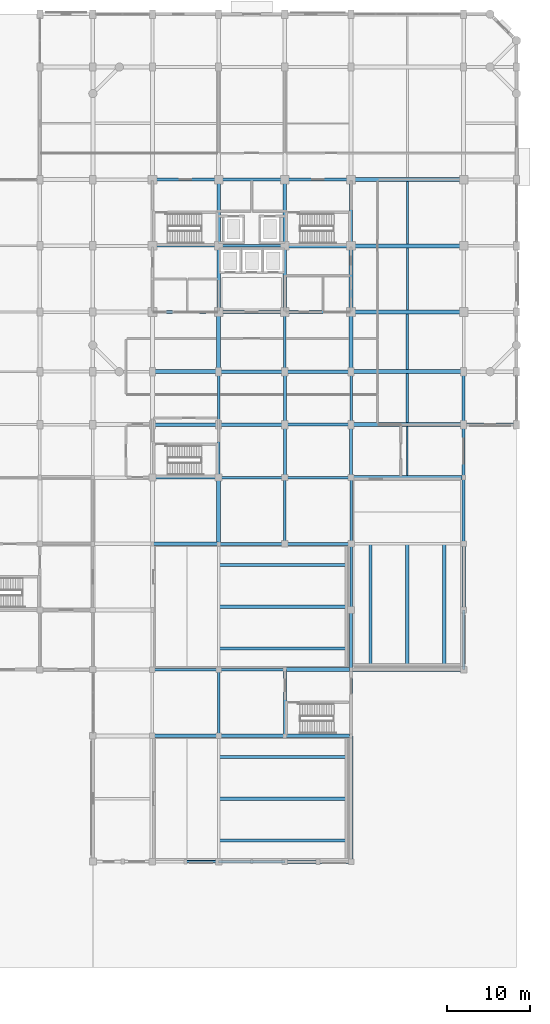
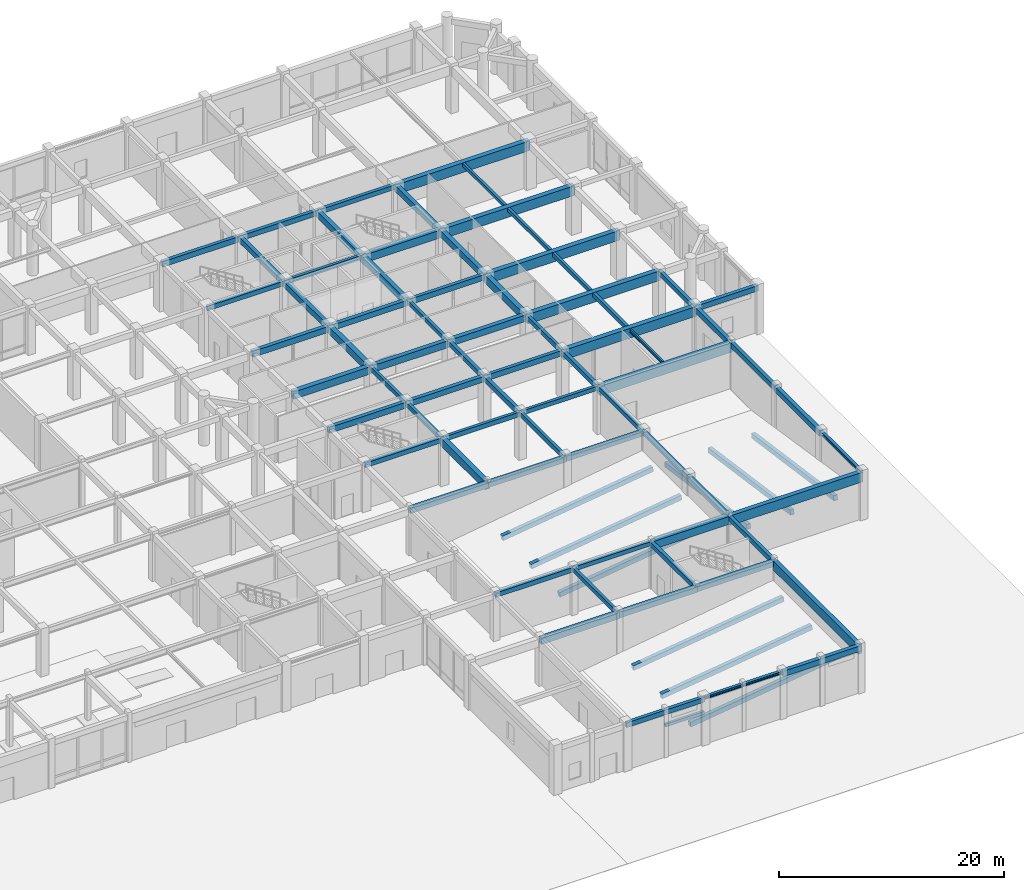
# One storey, part 16 of 40: 82 beams.
"""IFC4 building model written with IfcOpenShell, lengths in metres."""

from ifc_helpers import new_model, si_unit, direction, frame, origin, origin_2d, place, context, subcontext, project, spatial, rectangle, i_section, extrude, material, material_profile, profile_set, type_object, element, save


model = new_model("IFC4")

# Units and contexts
model_context = context("Model", 3, precision=1e-05, world=origin(), true_north=direction((0.0, 1.0)))
body_context = subcontext(model_context, "Body", "Model", "MODEL_VIEW")
ifc_project = project(units=[si_unit("LENGTHUNIT", "METRE"), si_unit("AREAUNIT", "SQUARE_METRE"), si_unit("VOLUMEUNIT", "CUBIC_METRE"), si_unit("PLANEANGLEUNIT", "RADIAN"), si_unit("MASSUNIT", "GRAM", prefix="KILO")], contexts=[model_context])

# Site, building, storey
site_placement = place(None, origin())
site = spatial("IfcSite", under=ifc_project, at=site_placement, CompositionType="ELEMENT")
building_placement = place(site_placement, origin())
building = spatial("IfcBuilding", under=site, at=building_placement, Name="Vellmiral Cinema and Media Centre", CompositionType="ELEMENT")
storey_placement = place(building_placement, origin())
storey = spatial("IfcBuildingStorey", under=building, at=storey_placement, Name="L00", CompositionType="ELEMENT", Elevation=0.0)

# Beams
ifc_material_1 = material(Name="Concrete C40/50", Category="concrete")
ifc_material_profile_1 = material_profile(ifc_material_1, rectangle(XDim=0.300048828125, YDim=0.449951171875, at=origin_2d()), Name="RC 300x450")
ifc_profile_set_1 = profile_set([ifc_material_profile_1], Name="Concrete C40/50")
beam_type_1 = type_object("IfcBeamType", Name="BM-RC-300x450", PredefinedType="BEAM", material=ifc_profile_set_1)
for number, where, z_axis, x_axis, name in (
    (1, (132.0, 36.0, 4.85009765625), (1.0, 0.0, 0.0), (0.0, 1.0, 0.0), "Grid Beam L00-X038"),
    (2, (140.0, 59.199951171875, 4.85009765625), (1.0, 0.0, 0.0), (0.0, 1.0, 0.0), "Grid Beam L00-X082"),
    (3, (132.0, 87.199951171875, 4.85009765625), (1.0, 0.0, 0.0), (0.0, 1.0, 0.0), "Grid Beam L00-X148"),
    (4, (132.0, 28.0, 4.85009765625), (0.0, 1.0, 0.0), (-1.0, 0.0, 0.0), "Grid Beam L00-Y324"),
):
    element("IfcBeam", number, at=place(storey_placement, frame(where, z_axis=z_axis, x_axis=x_axis)), inside=storey, type_object=beam_type_1, Name=name, PredefinedType="BEAM", context=body_context, shape_type="SweptSolid", body=[
        extrude(rectangle(XDim=0.300048828125, YDim=0.449951171875, at=origin_2d()), origin(), (0.0, 0.0, 1.0), 8.0),
    ])
beam_1_placement = place(storey_placement, frame((132.0, 65.60009765625, 4.85009765625), z_axis=(0.0, 1.0, 0.0), x_axis=(-1.0, 0.0, 0.0)))
element("IfcBeam", 5, at=beam_1_placement, inside=storey, type_object=beam_type_1, Name="Grid Beam L00-Y327", PredefinedType="BEAM", context=body_context, shape_type="SweptSolid", body=[
    extrude(rectangle(XDim=0.300048828125, YDim=0.449951171875, at=origin_2d()), origin(), (0.0, 0.0, 1.0), 6.39990234375),
])
beam_2_placement = place(storey_placement, frame((140.0, 72.0, 4.85009765625), z_axis=(0.0, 1.0, 0.0), x_axis=(-1.0, 0.0, 0.0)))
element("IfcBeam", 6, at=beam_2_placement, inside=storey, type_object=beam_type_1, Name="Grid Beam L00-Y337", PredefinedType="BEAM", context=body_context, shape_type="SweptSolid", body=[
    extrude(rectangle(XDim=0.300048828125, YDim=0.449951171875, at=origin_2d()), origin(), (0.0, 0.0, 1.0), 7.199951171875),
])
beam_3_placement = place(storey_placement, frame((148.0, 51.199951171875, 4.85009765625), z_axis=(0.0, 1.0, 0.0), x_axis=(-1.0, 0.0, 0.0)))
element("IfcBeam", 7, at=beam_3_placement, inside=storey, type_object=beam_type_1, Name="Grid Beam L00-Y346", PredefinedType="BEAM", context=body_context, shape_type="SweptSolid", body=[
    extrude(rectangle(XDim=0.300048828125, YDim=0.449951171875, at=origin_2d()), origin(), (0.0, 0.0, 1.0), 8.0),
])
ifc_material_2 = material(Name="Concrete C40/50", Category="concrete")
ifc_material_profile_2 = material_profile(ifc_material_2, rectangle(XDim=0.300048828125, YDim=0.5, at=origin_2d()), Name="RC 300x500")
ifc_profile_set_2 = profile_set([ifc_material_profile_2], Name="Concrete C40/50")
beam_type_2 = type_object("IfcBeamType", Name="BM-RC-300x500", PredefinedType="BEAM", material=ifc_profile_set_2)
for number, where, z_axis, x_axis, name in (
    (8, (124.0, 36.0, 4.824951171875), (1.0, 0.0, 0.0), (0.0, 1.0, 0.0), "Grid Beam L00-X037"),
    (9, (132.0, 59.199951171875, 4.824951171875), (1.0, 0.0, 0.0), (0.0, 1.0, 0.0), "Grid Beam L00-X081"),
    (10, (124.0, 87.199951171875, 4.824951171875), (1.0, 0.0, 0.0), (0.0, 1.0, 0.0), "Grid Beam L00-X147"),
):
    element("IfcBeam", number, at=place(storey_placement, frame(where, z_axis=z_axis, x_axis=x_axis)), inside=storey, type_object=beam_type_2, Name=name, PredefinedType="BEAM", context=body_context, shape_type="SweptSolid", body=[
        extrude(rectangle(XDim=0.300048828125, YDim=0.5, at=origin_2d()), origin(), (0.0, 0.0, 1.0), 8.0),
    ])
beam_4_placement = place(storey_placement, frame((132.0, 59.199951171875, 4.824951171875), z_axis=(0.0, 1.0, 0.0), x_axis=(-1.0, 0.0, 0.0)))
element("IfcBeam", 11, at=beam_4_placement, inside=storey, type_object=beam_type_2, Name="Grid Beam L00-Y326", PredefinedType="BEAM", context=body_context, shape_type="SweptSolid", body=[
    extrude(rectangle(XDim=0.300048828125, YDim=0.5, at=origin_2d()), origin(), (0.0, 0.0, 1.0), 6.400146484375),
])
for number, where, z_axis, x_axis, name in (
    (12, (140.0, 51.199951171875, 4.824951171875), (0.0, 1.0, 0.0), (-1.0, 0.0, 0.0), "Grid Beam L00-Y334"),
    (13, (148.0, 43.199951171875, 4.824951171875), (0.0, 1.0, 0.0), (-1.0, 0.0, 0.0), "Grid Beam L00-Y345"),
):
    element("IfcBeam", number, at=place(storey_placement, frame(where, z_axis=z_axis, x_axis=x_axis)), inside=storey, type_object=beam_type_2, Name=name, PredefinedType="BEAM", context=body_context, shape_type="SweptSolid", body=[
        extrude(rectangle(XDim=0.300048828125, YDim=0.5, at=origin_2d()), origin(), (0.0, 0.0, 1.0), 8.0),
    ])
beam_5_placement = place(storey_placement, frame((148.0, 65.60009765625, 4.824951171875), z_axis=(0.0, 1.0, 0.0), x_axis=(-1.0, 0.0, 0.0)))
element("IfcBeam", 14, at=beam_5_placement, inside=storey, type_object=beam_type_2, Name="Grid Beam L00-Y348", PredefinedType="BEAM", context=body_context, shape_type="SweptSolid", body=[
    extrude(rectangle(XDim=0.300048828125, YDim=0.5, at=origin_2d()), origin(), (0.0, 0.0, 1.0), 6.39990234375),
])
ifc_material_3 = material(Name="Concrete C40/50", Category="concrete")
ifc_material_profile_3 = material_profile(ifc_material_3, rectangle(XDim=0.35009765625, YDim=0.5, at=origin_2d()), Name="RC 350x500")
ifc_profile_set_3 = profile_set([ifc_material_profile_3], Name="Concrete C40/50")
beam_type_3 = type_object("IfcBeamType", Name="BM-RC-350x500", PredefinedType="BEAM", material=ifc_profile_set_3)
for number, where, z_axis, x_axis, name in (
    (15, (124.0, 59.199951171875, 4.824951171875), (1.0, 0.0, 0.0), (0.0, 1.0, 0.0), "Grid Beam L00-X080"),
    (16, (140.0, 95.199951171875, 4.824951171875), (1.0, 0.0, 0.0), (0.0, 1.0, 0.0), "Grid Beam L00-X168"),
    (17, (140.0, 28.0, 4.824951171875), (0.0, 1.0, 0.0), (-1.0, 0.0, 0.0), "Grid Beam L00-Y333"),
):
    element("IfcBeam", number, at=place(storey_placement, frame(where, z_axis=z_axis, x_axis=x_axis)), inside=storey, type_object=beam_type_3, Name=name, PredefinedType="BEAM", context=body_context, shape_type="SweptSolid", body=[
        extrude(rectangle(XDim=0.35009765625, YDim=0.5, at=origin_2d()), origin(), (0.0, 0.0, 1.0), 8.0),
    ])
beam_6_placement = place(storey_placement, frame((140.0, 65.60009765625, 4.824951171875), z_axis=(0.0, 1.0, 0.0), x_axis=(-1.0, 0.0, 0.0)))
element("IfcBeam", 18, at=beam_6_placement, inside=storey, type_object=beam_type_3, Name="Grid Beam L00-Y336", PredefinedType="BEAM", context=body_context, shape_type="SweptSolid", body=[
    extrude(rectangle(XDim=0.35009765625, YDim=0.5, at=origin_2d()), origin(), (0.0, 0.0, 1.0), 6.39990234375),
])
beam_7_placement = place(storey_placement, frame((148.0, 59.199951171875, 4.824951171875), z_axis=(0.0, 1.0, 0.0), x_axis=(-1.0, 0.0, 0.0)))
element("IfcBeam", 19, at=beam_7_placement, inside=storey, type_object=beam_type_3, Name="Grid Beam L00-Y347", PredefinedType="BEAM", context=body_context, shape_type="SweptSolid", body=[
    extrude(rectangle(XDim=0.35009765625, YDim=0.5, at=origin_2d()), origin(), (0.0, 0.0, 1.0), 6.400146484375),
])
beam_8_placement = place(storey_placement, frame((161.60009765625, 65.60009765625, 4.824951171875), z_axis=(0.0, 1.0, 0.0), x_axis=(-1.0, 0.0, 0.0)))
element("IfcBeam", 20, at=beam_8_placement, inside=storey, type_object=beam_type_3, Name="Grid Beam L00-Y358", PredefinedType="BEAM", context=body_context, shape_type="SweptSolid", body=[
    extrude(rectangle(XDim=0.35009765625, YDim=0.5, at=origin_2d()), origin(), (0.0, 0.0, 1.0), 6.39990234375),
])
ifc_material_4 = material(Name="Concrete C40/50", Category="concrete")
ifc_material_profile_4 = material_profile(ifc_material_4, rectangle(XDim=0.35009765625, YDim=0.550048828125, at=origin_2d()), Name="RC 350x550")
ifc_profile_set_4 = profile_set([ifc_material_profile_4], Name="Concrete C40/50")
beam_type_4 = type_object("IfcBeamType", Name="BM-RC-350x550", PredefinedType="BEAM", material=ifc_profile_set_4)
for number, where, z_axis, x_axis, name in (
    (21, (140.0, 51.199951171875, 4.800048828125), (1.0, 0.0, 0.0), (0.0, 1.0, 0.0), "Grid Beam L00-X068"),
    (22, (132.0, 95.199951171875, 4.800048828125), (1.0, 0.0, 0.0), (0.0, 1.0, 0.0), "Grid Beam L00-X167"),
):
    element("IfcBeam", number, at=place(storey_placement, frame(where, z_axis=z_axis, x_axis=x_axis)), inside=storey, type_object=beam_type_4, Name=name, PredefinedType="BEAM", context=body_context, shape_type="SweptSolid", body=[
        extrude(rectangle(XDim=0.35009765625, YDim=0.550048828125, at=origin_2d()), origin(), (0.0, 0.0, 1.0), 8.0),
    ])
beam_9_placement = place(storey_placement, frame((140.0, 59.199951171875, 4.800048828125), z_axis=(0.0, 1.0, 0.0), x_axis=(-1.0, 0.0, 0.0)))
element("IfcBeam", 23, at=beam_9_placement, inside=storey, type_object=beam_type_4, Name="Grid Beam L00-Y335", PredefinedType="BEAM", context=body_context, shape_type="SweptSolid", body=[
    extrude(rectangle(XDim=0.35009765625, YDim=0.550048828125, at=origin_2d()), origin(), (0.0, 0.0, 1.0), 6.400146484375),
])
ifc_material_5 = material(Name="Concrete C40/50", Category="concrete")
ifc_material_profile_5 = material_profile(ifc_material_5, rectangle(XDim=0.35009765625, YDim=0.60009765625, at=origin_2d()), Name="RC 350x600")
ifc_profile_set_5 = profile_set([ifc_material_profile_5], Name="Concrete C40/50")
beam_type_5 = type_object("IfcBeamType", Name="BM-RC-350x600", PredefinedType="BEAM", material=ifc_profile_set_5)
for number, where, z_axis, x_axis, name in (
    (24, (132.0, 51.199951171875, 4.77490234375), (1.0, 0.0, 0.0), (0.0, 1.0, 0.0), "Grid Beam L00-X067"),
    (25, (140.0, 65.60009765625, 4.77490234375), (1.0, 0.0, 0.0), (0.0, 1.0, 0.0), "Grid Beam L00-X100"),
    (26, (140.0, 79.199951171875, 4.77490234375), (1.0, 0.0, 0.0), (0.0, 1.0, 0.0), "Grid Beam L00-X133"),
    (27, (124.0, 95.199951171875, 4.77490234375), (1.0, 0.0, 0.0), (0.0, 1.0, 0.0), "Grid Beam L00-X166"),
):
    element("IfcBeam", number, at=place(storey_placement, frame(where, z_axis=z_axis, x_axis=x_axis)), inside=storey, type_object=beam_type_5, Name=name, PredefinedType="BEAM", context=body_context, shape_type="SweptSolid", body=[
        extrude(rectangle(XDim=0.35009765625, YDim=0.60009765625, at=origin_2d()), origin(), (0.0, 0.0, 1.0), 8.0),
    ])
beam_10_placement = place(storey_placement, frame((148.0, 36.0, 4.77490234375), z_axis=(0.0, 1.0, 0.0), x_axis=(-1.0, 0.0, 0.0)))
element("IfcBeam", 28, at=beam_10_placement, inside=storey, type_object=beam_type_5, Name="Grid Beam L00-Y344", PredefinedType="BEAM", context=body_context, shape_type="SweptSolid", body=[
    extrude(rectangle(XDim=0.35009765625, YDim=0.60009765625, at=origin_2d()), origin(), (0.0, 0.0, 1.0), 7.199951171875),
])
ifc_material_6 = material(Name="Concrete C40/50", Category="concrete")
ifc_material_profile_6 = material_profile(ifc_material_6, rectangle(XDim=0.39990234375, YDim=0.60009765625, at=origin_2d()), Name="RC 400x600")
ifc_profile_set_6 = profile_set([ifc_material_profile_6], Name="Concrete C40/50")
beam_type_6 = type_object("IfcBeamType", Name="BM-RC-400x600", PredefinedType="BEAM", material=ifc_profile_set_6)
for number, where, z_axis, x_axis, name in (
    (29, (140.0, 28.0, 4.77490234375), (1.0, 0.0, 0.0), (0.0, 1.0, 0.0), "Grid Beam L00-X022"),
    (30, (124.0, 51.199951171875, 4.77490234375), (1.0, 0.0, 0.0), (0.0, 1.0, 0.0), "Grid Beam L00-X066"),
    (31, (132.0, 65.60009765625, 4.77490234375), (1.0, 0.0, 0.0), (0.0, 1.0, 0.0), "Grid Beam L00-X099"),
    (32, (132.0, 79.199951171875, 4.77490234375), (1.0, 0.0, 0.0), (0.0, 1.0, 0.0), "Grid Beam L00-X132"),
    (33, (132.0, 87.199951171875, 4.77490234375), (0.0, 1.0, 0.0), (-1.0, 0.0, 0.0), "Grid Beam L00-Y330"),
):
    element("IfcBeam", number, at=place(storey_placement, frame(where, z_axis=z_axis, x_axis=x_axis)), inside=storey, type_object=beam_type_6, Name=name, PredefinedType="BEAM", context=body_context, shape_type="SweptSolid", body=[
        extrude(rectangle(XDim=0.39990234375, YDim=0.60009765625, at=origin_2d()), origin(), (0.0, 0.0, 1.0), 8.0),
    ])
ifc_material_7 = material(Name="Concrete C40/50", Category="concrete")
ifc_material_profile_7 = material_profile(ifc_material_7, rectangle(XDim=0.39990234375, YDim=0.64990234375, at=origin_2d()), Name="RC 400x650")
ifc_profile_set_7 = profile_set([ifc_material_profile_7], Name="Concrete C40/50")
beam_type_7 = type_object("IfcBeamType", Name="BM-RC-400x650", PredefinedType="BEAM", material=ifc_profile_set_7)
for number, where, z_axis, x_axis, name in (
    (34, (132.0, 28.0, 4.75), (1.0, 0.0, 0.0), (0.0, 1.0, 0.0), "Grid Beam L00-X021"),
    (35, (124.0, 65.60009765625, 4.75), (1.0, 0.0, 0.0), (0.0, 1.0, 0.0), "Grid Beam L00-X098"),
    (36, (124.0, 79.199951171875, 4.75), (1.0, 0.0, 0.0), (0.0, 1.0, 0.0), "Grid Beam L00-X131"),
    (37, (132.0, 79.199951171875, 4.75), (0.0, 1.0, 0.0), (-1.0, 0.0, 0.0), "Grid Beam L00-Y329"),
    (38, (148.0, 87.199951171875, 4.75), (0.0, 1.0, 0.0), (-1.0, 0.0, 0.0), "Grid Beam L00-Y351"),
):
    element("IfcBeam", number, at=place(storey_placement, frame(where, z_axis=z_axis, x_axis=x_axis)), inside=storey, type_object=beam_type_7, Name=name, PredefinedType="BEAM", context=body_context, shape_type="SweptSolid", body=[
        extrude(rectangle(XDim=0.39990234375, YDim=0.64990234375, at=origin_2d()), origin(), (0.0, 0.0, 1.0), 8.0),
    ])
ifc_material_8 = material(Name="Concrete C40/50", Category="concrete")
ifc_material_profile_8 = material_profile(ifc_material_8, rectangle(XDim=0.449951171875, YDim=0.699951171875, at=origin_2d()), Name="RC 450x700")
ifc_profile_set_8 = profile_set([ifc_material_profile_8], Name="Concrete C40/50")
beam_type_8 = type_object("IfcBeamType", Name="BM-RC-450x700", PredefinedType="BEAM", material=ifc_profile_set_8)
for number, where, z_axis, x_axis, name in (
    (39, (124.0, 28.0, 4.72509765625), (1.0, 0.0, 0.0), (0.0, 1.0, 0.0), "Grid Beam L00-X020"),
    (40, (140.0, 72.0, 4.72509765625), (1.0, 0.0, 0.0), (0.0, 1.0, 0.0), "Grid Beam L00-X119"),
    (41, (140.0, 87.199951171875, 4.72509765625), (0.0, 1.0, 0.0), (-1.0, 0.0, 0.0), "Grid Beam L00-Y339"),
    (42, (148.0, 79.199951171875, 4.72509765625), (0.0, 1.0, 0.0), (-1.0, 0.0, 0.0), "Grid Beam L00-Y350"),
):
    element("IfcBeam", number, at=place(storey_placement, frame(where, z_axis=z_axis, x_axis=x_axis)), inside=storey, type_object=beam_type_8, Name=name, PredefinedType="BEAM", context=body_context, shape_type="SweptSolid", body=[
        extrude(rectangle(XDim=0.449951171875, YDim=0.699951171875, at=origin_2d()), origin(), (0.0, 0.0, 1.0), 8.0),
    ])
ifc_material_9 = material(Name="Concrete C40/50", Category="concrete")
ifc_material_profile_9 = material_profile(ifc_material_9, rectangle(XDim=0.449951171875, YDim=0.75, at=origin_2d()), Name="RC 450x750")
ifc_profile_set_9 = profile_set([ifc_material_profile_9], Name="Concrete C40/50")
beam_type_9 = type_object("IfcBeamType", Name="BM-RC-450x750", PredefinedType="BEAM", material=ifc_profile_set_9)
for number, where, z_axis, x_axis, name in (
    (43, (132.0, 72.0, 4.699951171875), (1.0, 0.0, 0.0), (0.0, 1.0, 0.0), "Grid Beam L00-X118"),
    (44, (140.0, 79.199951171875, 4.699951171875), (0.0, 1.0, 0.0), (-1.0, 0.0, 0.0), "Grid Beam L00-Y338"),
):
    element("IfcBeam", number, at=place(storey_placement, frame(where, z_axis=z_axis, x_axis=x_axis)), inside=storey, type_object=beam_type_9, Name=name, PredefinedType="BEAM", context=body_context, shape_type="SweptSolid", body=[
        extrude(rectangle(XDim=0.449951171875, YDim=0.75, at=origin_2d()), origin(), (0.0, 0.0, 1.0), 8.0),
    ])
ifc_material_10 = material(Name="Concrete C40/50", Category="concrete")
ifc_material_profile_10 = material_profile(ifc_material_10, rectangle(XDim=0.5, YDim=0.800048828125, at=origin_2d()), Name="RC 500x800")
ifc_profile_set_10 = profile_set([ifc_material_profile_10], Name="Concrete C40/50")
beam_type_10 = type_object("IfcBeamType", Name="BM-RC-500x800", PredefinedType="BEAM", material=ifc_profile_set_10)
beam_11_placement = place(storey_placement, frame((124.0, 72.0, 4.675048828125), z_axis=(1.0, 0.0, 0.0), x_axis=(0.0, 1.0, 0.0)))
element("IfcBeam", 45, at=beam_11_placement, inside=storey, type_object=beam_type_10, Name="Grid Beam L00-X117", PredefinedType="BEAM", context=body_context, shape_type="SweptSolid", body=[
    extrude(rectangle(XDim=0.5, YDim=0.800048828125, at=origin_2d()), origin(), (0.0, 0.0, 1.0), 8.0),
])
beam_12_placement = place(storey_placement, frame((132.0, 72.0, 4.675048828125), z_axis=(0.0, 1.0, 0.0), x_axis=(-1.0, 0.0, 0.0)))
element("IfcBeam", 46, at=beam_12_placement, inside=storey, type_object=beam_type_10, Name="Grid Beam L00-Y328", PredefinedType="BEAM", context=body_context, shape_type="SweptSolid", body=[
    extrude(rectangle(XDim=0.5, YDim=0.800048828125, at=origin_2d()), origin(), (0.0, 0.0, 1.0), 7.199951171875),
])
ifc_material_11 = material(Name="Concrete C40/50", Category="concrete")
ifc_material_profile_11 = material_profile(ifc_material_11, rectangle(XDim=0.5, YDim=0.85009765625, at=origin_2d()), Name="RC 500x850")
ifc_profile_set_11 = profile_set([ifc_material_profile_11], Name="Concrete C40/50")
beam_type_11 = type_object("IfcBeamType", Name="BM-RC-500x850", PredefinedType="BEAM", material=ifc_profile_set_11)
for number, where, z_axis, x_axis, name in (
    (47, (140.0, 36.0, 4.64990234375), (1.0, 0.0, 0.0), (0.0, 1.0, 0.0), "Grid Beam L00-X039"),
    (48, (140.0, 87.199951171875, 4.64990234375), (1.0, 0.0, 0.0), (0.0, 1.0, 0.0), "Grid Beam L00-X149"),
    (49, (132.0, 51.199951171875, 4.64990234375), (0.0, 1.0, 0.0), (-1.0, 0.0, 0.0), "Grid Beam L00-Y325"),
):
    element("IfcBeam", number, at=place(storey_placement, frame(where, z_axis=z_axis, x_axis=x_axis)), inside=storey, type_object=beam_type_11, Name=name, PredefinedType="BEAM", context=body_context, shape_type="SweptSolid", body=[
        extrude(rectangle(XDim=0.5, YDim=0.85009765625, at=origin_2d()), origin(), (0.0, 0.0, 1.0), 8.0),
    ])
beam_13_placement = place(storey_placement, frame((148.0, 72.0, 4.64990234375), z_axis=(0.0, 1.0, 0.0), x_axis=(-1.0, 0.0, 0.0)))
element("IfcBeam", 50, at=beam_13_placement, inside=storey, type_object=beam_type_11, Name="Grid Beam L00-Y349", PredefinedType="BEAM", context=body_context, shape_type="SweptSolid", body=[
    extrude(rectangle(XDim=0.5, YDim=0.85009765625, at=origin_2d()), origin(), (0.0, 0.0, 1.0), 7.199951171875),
])
ifc_material_12 = material(Name="Concrete C40/50", Category="concrete")
ifc_material_profile_12 = material_profile(ifc_material_12, rectangle(XDim=0.5, YDim=1.050048828125, at=origin_2d()), Name="RC 500x1050")
ifc_profile_set_12 = profile_set([ifc_material_profile_12], Name="Concrete C40/50")
beam_type_12 = type_object("IfcBeamType", Name="BM-RCG-500x1050", PredefinedType="BEAM", material=ifc_profile_set_12)
for number, where, z_axis, x_axis, name in (
    (51, (148.0, 59.199951171875, 4.550048828125), (1.0, 0.0, 0.0), (0.0, 1.0, 0.0), "Grid Beam L00-X083"),
    (52, (148.0, 65.60009765625, 4.550048828125), (1.0, 0.0, 0.0), (0.0, 1.0, 0.0), "Grid Beam L00-X101"),
    (53, (148.0, 72.0, 4.550048828125), (1.0, 0.0, 0.0), (0.0, 1.0, 0.0), "Grid Beam L00-X120"),
    (54, (148.0, 79.199951171875, 4.550048828125), (1.0, 0.0, 0.0), (0.0, 1.0, 0.0), "Grid Beam L00-X134"),
    (55, (148.0, 87.199951171875, 4.550048828125), (1.0, 0.0, 0.0), (0.0, 1.0, 0.0), "Grid Beam L00-X150"),
    (56, (148.0, 95.199951171875, 4.550048828125), (1.0, 0.0, 0.0), (0.0, 1.0, 0.0), "Grid Beam L00-X169"),
):
    element("IfcBeam", number, at=place(storey_placement, frame(where, z_axis=z_axis, x_axis=x_axis)), inside=storey, type_object=beam_type_12, Name=name, PredefinedType="BEAM", context=body_context, shape_type="SweptSolid", body=[
        extrude(rectangle(XDim=0.5, YDim=1.050048828125, at=origin_2d()), origin(), (0.0, 0.0, 1.0), 13.60009765625),
    ])
ifc_material_13 = material(Name="Concrete C40/50", Category="concrete")
ifc_material_profile_13 = material_profile(ifc_material_13, rectangle(XDim=0.25, YDim=0.35009765625, at=origin_2d()), Name="RC 250x350")
ifc_profile_set_13 = profile_set([ifc_material_profile_13], Name="Concrete C40/50")
beam_type_13 = type_object("IfcBeamType", Name="JST-RC-250x350", PredefinedType="JOIST", material=ifc_profile_set_13)
beam_14_placement = place(storey_placement, frame((154.800048828125, 87.449951171875, 4.89990234375), z_axis=(0.0, 1.0, 0.0), x_axis=(-1.0, 0.0, 0.0)))
element("IfcBeam", 57, at=beam_14_placement, inside=storey, type_object=beam_type_13, Name="Secondary Floor Joist L00-033", PredefinedType="JOIST", context=body_context, shape_type="SweptSolid", body=[
    extrude(rectangle(XDim=0.25, YDim=0.35009765625, at=origin_2d()), origin(), (0.0, 0.0, 1.0), 7.5),
])
ifc_material_14 = material(Name="Concrete C40/50", Category="concrete")
ifc_material_profile_14 = material_profile(ifc_material_14, rectangle(XDim=0.260009765625, YDim=0.3798828125, at=origin_2d()), Name="RC 260x380")
ifc_profile_set_14 = profile_set([ifc_material_profile_14], Name="Concrete C40/50")
beam_type_14 = type_object("IfcBeamType", Name="JST-RC-260x380", PredefinedType="JOIST", material=ifc_profile_set_14)
beam_15_placement = place(storey_placement, frame((154.800048828125, 79.449951171875, 4.885009765625), z_axis=(0.0, 1.0, 0.0), x_axis=(-1.0, 0.0, 0.0)))
element("IfcBeam", 58, at=beam_15_placement, inside=storey, type_object=beam_type_14, Name="Secondary Floor Joist L00-032", PredefinedType="JOIST", context=body_context, shape_type="SweptSolid", body=[
    extrude(rectangle(XDim=0.260009765625, YDim=0.3798828125, at=origin_2d()), origin(), (0.0, 0.0, 1.0), 7.5),
])
ifc_material_15 = material(Name="Concrete C40/50", Category="concrete")
ifc_material_profile_15 = material_profile(ifc_material_15, rectangle(XDim=0.280029296875, YDim=0.39990234375, at=origin_2d()), Name="RC 280x400")
ifc_profile_set_15 = profile_set([ifc_material_profile_15], Name="Concrete C40/50")
beam_type_15 = type_object("IfcBeamType", Name="JST-RC-280x400", PredefinedType="JOIST", material=ifc_profile_set_15)
beam_16_placement = place(storey_placement, frame((154.800048828125, 72.25, 4.875), z_axis=(0.0, 1.0, 0.0), x_axis=(-1.0, 0.0, 0.0)))
element("IfcBeam", 59, at=beam_16_placement, inside=storey, type_object=beam_type_15, Name="Secondary Floor Joist L00-031", PredefinedType="JOIST", context=body_context, shape_type="SweptSolid", body=[
    extrude(rectangle(XDim=0.280029296875, YDim=0.39990234375, at=origin_2d()), origin(), (0.0, 0.0, 1.0), 6.699951171875),
])
ifc_material_16 = material(Name="Concrete C40/50", Category="concrete")
ifc_material_profile_16 = material_profile(ifc_material_16, rectangle(XDim=0.300048828125, YDim=0.419921875, at=origin_2d()), Name="RC 300x420")
ifc_profile_set_16 = profile_set([ifc_material_profile_16], Name="Concrete C40/50")
beam_type_16 = type_object("IfcBeamType", Name="JST-RC-300x420", PredefinedType="JOIST", material=ifc_profile_set_16)
beam_17_placement = place(storey_placement, frame((154.800048828125, 65.85009765625, 4.864990234375), z_axis=(0.0, 1.0, 0.0), x_axis=(-1.0, 0.0, 0.0)))
element("IfcBeam", 60, at=beam_17_placement, inside=storey, type_object=beam_type_16, Name="Secondary Floor Joist L00-030", PredefinedType="JOIST", context=body_context, shape_type="SweptSolid", body=[
    extrude(rectangle(XDim=0.300048828125, YDim=0.419921875, at=origin_2d()), origin(), (0.0, 0.0, 1.0), 5.89990234375),
])
ifc_material_17 = material(Name="Concrete C40/50", Category="concrete")
ifc_material_profile_17 = material_profile(ifc_material_17, rectangle(XDim=0.25, YDim=0.320068359375, at=origin_2d()), Name="RC 250x320")
ifc_profile_set_17 = profile_set([ifc_material_profile_17], Name="Concrete C40/50")
beam_type_17 = type_object("IfcBeamType", Name="LNT-RC-250x320", PredefinedType="LINTEL", material=ifc_profile_set_17)
beam_18_placement = place(storey_placement, frame((128.0, 12.800048828125, 3.35009765625), z_axis=(1.0, 0.0, 0.0), x_axis=(0.0, 1.0, 0.0)))
element("IfcBeam", 61, at=beam_18_placement, inside=storey, type_object=beam_type_17, Name="Promenade Arcade Lintel L00-10", PredefinedType="LINTEL", context=body_context, shape_type="SweptSolid", body=[
    extrude(rectangle(XDim=0.25, YDim=0.320068359375, at=origin_2d()), origin(), (0.0, 0.0, 1.0), 4.0),
])
ifc_material_18 = material(Name="Concrete C40/50", Category="concrete")
ifc_material_profile_18 = material_profile(ifc_material_18, rectangle(XDim=0.39990234375, YDim=0.52001953125, at=origin_2d()), Name="RC 400x520")
ifc_profile_set_18 = profile_set([ifc_material_profile_18], Name="Concrete C40/50")
beam_type_18 = type_object("IfcBeamType", Name="RAKER-BM-400x520", PredefinedType="BEAM", material=ifc_profile_set_18)
for number, where, z_axis, x_axis, name in (
    (62, (132.0, 15.35009765625, 0.530029296875), (0.990645376791, 0.0, 0.136461487031), (0.0, 1.0, 0.0), "Cinema Screen 5 Raker Beam 1"),
    (63, (132.0, 20.39990234375, 0.530029296875), (0.990645376791, 0.0, 0.136461487031), (0.0, 1.0, 0.0), "Cinema Screen 5 Raker Beam 2"),
    (64, (132.0, 25.449951171875, 0.530029296875), (0.990645376791, 0.0, 0.136461487031), (0.0, 1.0, 0.0), "Cinema Screen 5 Raker Beam 3"),
    (65, (132.0, 38.550048828125, 0.530029296875), (0.990645376791, 0.0, 0.136461487031), (0.0, 1.0, 0.0), "Cinema Screen 6 Raker Beam 1"),
    (66, (132.0, 43.60009765625, 0.530029296875), (0.990645376791, 0.0, 0.136461487031), (0.0, 1.0, 0.0), "Cinema Screen 6 Raker Beam 2"),
    (67, (132.0, 48.64990234375, 0.530029296875), (0.990645376791, 0.0, 0.136461487031), (0.0, 1.0, 0.0), "Cinema Screen 6 Raker Beam 3"),
):
    element("IfcBeam", number, at=place(storey_placement, frame(where, z_axis=z_axis, x_axis=x_axis)), inside=storey, type_object=beam_type_18, Name=name, PredefinedType="BEAM", context=body_context, shape_type="SweptSolid", body=[
        extrude(rectangle(XDim=0.39990234375, YDim=0.52001953125, at=origin_2d()), origin(), (0.0, 0.0, 1.0), 15.54541015625),
    ])
for number, where, z_axis, x_axis, name in (
    (68, (150.35009765625, 36.60009765625, 2.59619140625), (0.0, 0.990134082672, -0.140123154156), (-1.0, 0.0, 0.0), "Cinema Screen 7 Raker Beam 1"),
    (69, (154.800048828125, 36.60009765625, 2.59619140625), (0.0, 0.990134082672, -0.140123154156), (-1.0, 0.0, 0.0), "Cinema Screen 7 Raker Beam 2"),
    (70, (159.25, 36.60009765625, 2.59619140625), (0.0, 0.990134082672, -0.140123154156), (-1.0, 0.0, 0.0), "Cinema Screen 7 Raker Beam 3"),
):
    element("IfcBeam", number, at=place(storey_placement, frame(where, z_axis=z_axis, x_axis=x_axis)), inside=storey, type_object=beam_type_18, Name=name, PredefinedType="BEAM", context=body_context, shape_type="SweptSolid", body=[
        extrude(rectangle(XDim=0.39990234375, YDim=0.52001953125, at=origin_2d()), origin(), (0.0, 0.0, 1.0), 14.745361328125),
    ])
ifc_material_19 = material(Name="Steel S355", Category="steel")
ifc_material_profile_19 = material_profile(ifc_material_19, i_section(OverallWidth=0.300048828125, OverallDepth=0.300048828125, WebThickness=0.010986328125, FlangeThickness=0.01904296875, FilletRadius=0.027099609375, at=origin_2d()), Name="HEB 300")
ifc_profile_set_19 = profile_set([ifc_material_profile_19], Name="Steel S355")
beam_type_19 = type_object("IfcBeamType", Name="SBM-HEB300", PredefinedType="SPANDREL", material=ifc_profile_set_19)
beam_19_placement = place(storey_placement, frame((132.0, 12.800048828125, 4.925048828125), z_axis=(1.0, 0.0, 0.0), x_axis=(0.0, 1.0, 0.0)))
element("IfcBeam", 71, at=beam_19_placement, inside=storey, type_object=beam_type_19, Name="Grid Beam L00-X014", PredefinedType="SPANDREL", context=body_context, shape_type="SweptSolid", body=[
    extrude(i_section(OverallWidth=0.300048828125, OverallDepth=0.300048828125, WebThickness=0.010986328125, FlangeThickness=0.01904296875, FilletRadius=0.027099609375, at=origin_2d()), origin(), (0.0, 0.0, 1.0), 8.0),
])
beam_20_placement = place(storey_placement, frame((161.60009765625, 36.0, 4.925048828125), z_axis=(0.0, 1.0, 0.0), x_axis=(-1.0, 0.0, 0.0)))
element("IfcBeam", 72, at=beam_20_placement, inside=storey, type_object=beam_type_19, Name="Grid Beam L00-Y354", PredefinedType="SPANDREL", context=body_context, shape_type="SweptSolid", body=[
    extrude(i_section(OverallWidth=0.300048828125, OverallDepth=0.300048828125, WebThickness=0.010986328125, FlangeThickness=0.01904296875, FilletRadius=0.027099609375, at=origin_2d()), origin(), (0.0, 0.0, 1.0), 7.199951171875),
])
ifc_material_20 = material(Name="Steel S355", Category="steel")
ifc_material_profile_20 = material_profile(ifc_material_20, i_section(OverallWidth=0.169921875, OverallDepth=0.360107421875, WebThickness=0.008056640625, FlangeThickness=0.0126953125, FilletRadius=0.01806640625, at=origin_2d()), Name="IPE 360")
ifc_profile_set_20 = profile_set([ifc_material_profile_20], Name="Steel S355")
beam_type_20 = type_object("IfcBeamType", Name="SBM-IPE360", PredefinedType="JOIST", material=ifc_profile_set_20)
beam_21_placement = place(storey_placement, frame((154.800048828125, 59.449951171875, 4.89501953125), z_axis=(0.0, 1.0, 0.0), x_axis=(-1.0, 0.0, 0.0)))
element("IfcBeam", 73, at=beam_21_placement, inside=storey, type_object=beam_type_20, Name="Secondary Floor Joist L00-029", PredefinedType="JOIST", context=body_context, shape_type="SweptSolid", body=[
    extrude(i_section(OverallWidth=0.169921875, OverallDepth=0.360107421875, WebThickness=0.008056640625, FlangeThickness=0.0126953125, FilletRadius=0.01806640625, at=origin_2d()), origin(), (0.0, 0.0, 1.0), 5.900146484375),
])
ifc_material_21 = material(Name="Concrete C40/50", Category="concrete")
ifc_material_profile_21 = material_profile(ifc_material_21, rectangle(XDim=0.35009765625, YDim=0.56005859375, at=origin_2d()), Name="RC 350x560")
ifc_profile_set_21 = profile_set([ifc_material_profile_21], Name="Concrete C40/50")
beam_type_21 = type_object("IfcBeamType", Name="SPD-RC-350x560", PredefinedType="SPANDREL", material=ifc_profile_set_21)
beam_22_placement = place(storey_placement, frame((161.60009765625, 51.199951171875, 4.794921875), z_axis=(0.0, 1.0, 0.0), x_axis=(-1.0, 0.0, 0.0)))
element("IfcBeam", 74, at=beam_22_placement, inside=storey, type_object=beam_type_21, Name="Grid Beam L00-Y356", PredefinedType="SPANDREL", context=body_context, shape_type="SweptSolid", body=[
    extrude(rectangle(XDim=0.35009765625, YDim=0.56005859375, at=origin_2d()), origin(), (0.0, 0.0, 1.0), 8.0),
])
ifc_material_22 = material(Name="Concrete C40/50", Category="concrete")
ifc_material_profile_22 = material_profile(ifc_material_22, rectangle(XDim=0.39990234375, YDim=0.60009765625, at=origin_2d()), Name="RC 400x600")
ifc_profile_set_22 = profile_set([ifc_material_profile_22], Name="Concrete C40/50")
beam_type_22 = type_object("IfcBeamType", Name="SPD-RC-400x600", PredefinedType="SPANDREL", material=ifc_profile_set_22)
for number, where, z_axis, x_axis, name in (
    (75, (140.0, 12.800048828125, 4.77490234375), (1.0, 0.0, 0.0), (0.0, 1.0, 0.0), "Grid Beam L00-X015"),
    (76, (161.60009765625, 43.199951171875, 4.77490234375), (0.0, 1.0, 0.0), (-1.0, 0.0, 0.0), "Grid Beam L00-Y355"),
):
    element("IfcBeam", number, at=place(storey_placement, frame(where, z_axis=z_axis, x_axis=x_axis)), inside=storey, type_object=beam_type_22, Name=name, PredefinedType="SPANDREL", context=body_context, shape_type="SweptSolid", body=[
        extrude(rectangle(XDim=0.39990234375, YDim=0.60009765625, at=origin_2d()), origin(), (0.0, 0.0, 1.0), 8.0),
    ])
ifc_material_23 = material(Name="Concrete C40/50", Category="concrete")
ifc_material_profile_23 = material_profile(ifc_material_23, rectangle(XDim=0.449951171875, YDim=1.050048828125, at=origin_2d()), Name="RC 450x1050")
ifc_profile_set_23 = profile_set([ifc_material_profile_23], Name="Concrete C40/50")
beam_type_23 = type_object("IfcBeamType", Name="SPD-RCG-450x1050", PredefinedType="SPANDREL", material=ifc_profile_set_23)
beam_23_placement = place(storey_placement, frame((148.0, 36.0, 4.550048828125), z_axis=(1.0, 0.0, 0.0), x_axis=(0.0, 1.0, 0.0)))
element("IfcBeam", 77, at=beam_23_placement, inside=storey, type_object=beam_type_23, Name="Grid Beam L00-X040", PredefinedType="SPANDREL", context=body_context, shape_type="SweptSolid", body=[
    extrude(rectangle(XDim=0.449951171875, YDim=1.050048828125, at=origin_2d()), origin(), (0.0, 0.0, 1.0), 13.60009765625),
])
ifc_material_24 = material(Name="Vosges Red Sandstone Masonry", Category="masonry")
ifc_material_profile_24 = material_profile(ifc_material_24, rectangle(XDim=0.340087890625, YDim=0.52001953125, at=origin_2d()), Name="SAND 340x520")
ifc_profile_set_24 = profile_set([ifc_material_profile_24], Name="Vosges Red Sandstone Masonry")
beam_type_24 = type_object("IfcBeamType", Name="SPD-SAND-340x520", PredefinedType="SPANDREL", material=ifc_profile_set_24)
for number, where, z_axis, x_axis, name in (
    (78, (124.0, 12.800048828125, 4.81494140625), (1.0, 0.0, 0.0), (0.0, 1.0, 0.0), "Grid Beam L00-X013"),
    (79, (148.0, 28.0, 4.81494140625), (0.0, 1.0, 0.0), (-1.0, 0.0, 0.0), "Grid Beam L00-Y343"),
):
    element("IfcBeam", number, at=place(storey_placement, frame(where, z_axis=z_axis, x_axis=x_axis)), inside=storey, type_object=beam_type_24, Name=name, PredefinedType="SPANDREL", context=body_context, shape_type="SweptSolid", body=[
        extrude(rectangle(XDim=0.340087890625, YDim=0.52001953125, at=origin_2d()), origin(), (0.0, 0.0, 1.0), 8.0),
    ])
ifc_material_25 = material(Name="Vosges Red Sandstone Masonry", Category="masonry")
ifc_material_profile_25 = material_profile(ifc_material_25, rectangle(XDim=0.3798828125, YDim=0.580078125, at=origin_2d()), Name="SAND 380x580")
ifc_profile_set_25 = profile_set([ifc_material_profile_25], Name="Vosges Red Sandstone Masonry")
beam_type_25 = type_object("IfcBeamType", Name="SPD-SAND-380x580", PredefinedType="SPANDREL", material=ifc_profile_set_25)
beam_24_placement = place(storey_placement, frame((161.60009765625, 65.60009765625, 4.784912109375), z_axis=(1.0, 0.0, 0.0), x_axis=(0.0, 1.0, 0.0)))
element("IfcBeam", 80, at=beam_24_placement, inside=storey, type_object=beam_type_25, Name="Grid Beam L00-X102", PredefinedType="SPANDREL", context=body_context, shape_type="SweptSolid", body=[
    extrude(rectangle(XDim=0.3798828125, YDim=0.580078125, at=origin_2d()), origin(), (0.0, 0.0, 1.0), 6.39990234375),
])
beam_25_placement = place(storey_placement, frame((161.60009765625, 59.199951171875, 4.784912109375), z_axis=(0.0, 1.0, 0.0), x_axis=(-1.0, 0.0, 0.0)))
element("IfcBeam", 81, at=beam_25_placement, inside=storey, type_object=beam_type_25, Name="Grid Beam L00-Y357", PredefinedType="SPANDREL", context=body_context, shape_type="SweptSolid", body=[
    extrude(rectangle(XDim=0.3798828125, YDim=0.580078125, at=origin_2d()), origin(), (0.0, 0.0, 1.0), 6.400146484375),
])
ifc_material_26 = material(Name="Vosges Red Sandstone Masonry", Category="masonry")
ifc_material_profile_26 = material_profile(ifc_material_26, rectangle(XDim=0.419921875, YDim=1.0, at=origin_2d()), Name="SAND 420x1000")
ifc_profile_set_26 = profile_set([ifc_material_profile_26], Name="Vosges Red Sandstone Masonry")
beam_type_26 = type_object("IfcBeamType", Name="SPD-SANDG-420x1000", PredefinedType="SPANDREL", material=ifc_profile_set_26)
beam_26_placement = place(storey_placement, frame((148.0, 12.800048828125, 4.574951171875), z_axis=(0.0, 1.0, 0.0), x_axis=(-1.0, 0.0, 0.0)))
element("IfcBeam", 82, at=beam_26_placement, inside=storey, type_object=beam_type_26, Name="Grid Beam L00-Y342", PredefinedType="SPANDREL", context=body_context, shape_type="SweptSolid", body=[
    extrude(rectangle(XDim=0.419921875, YDim=1.0, at=origin_2d()), origin(), (0.0, 0.0, 1.0), 15.199951171875),
])

save(model, "model.ifc")
